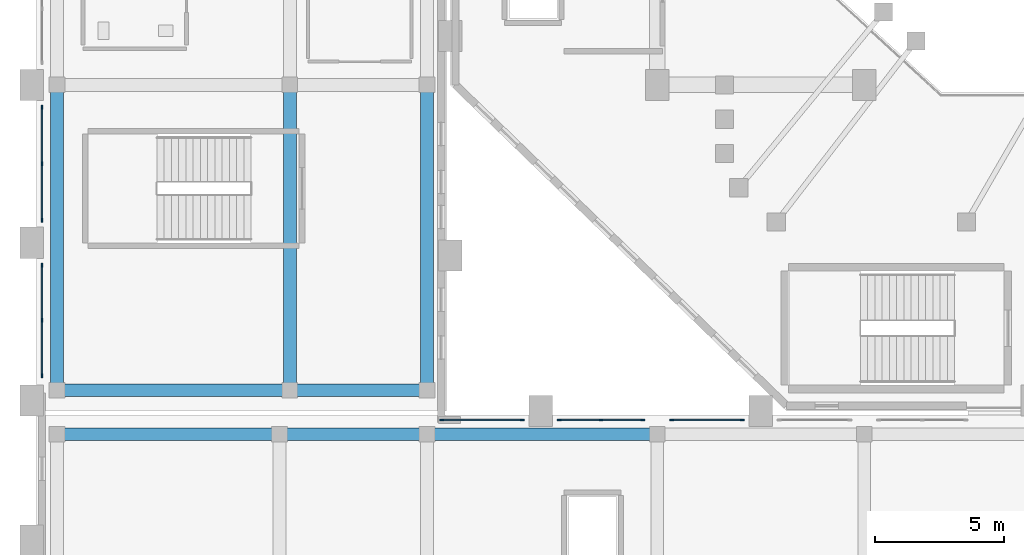
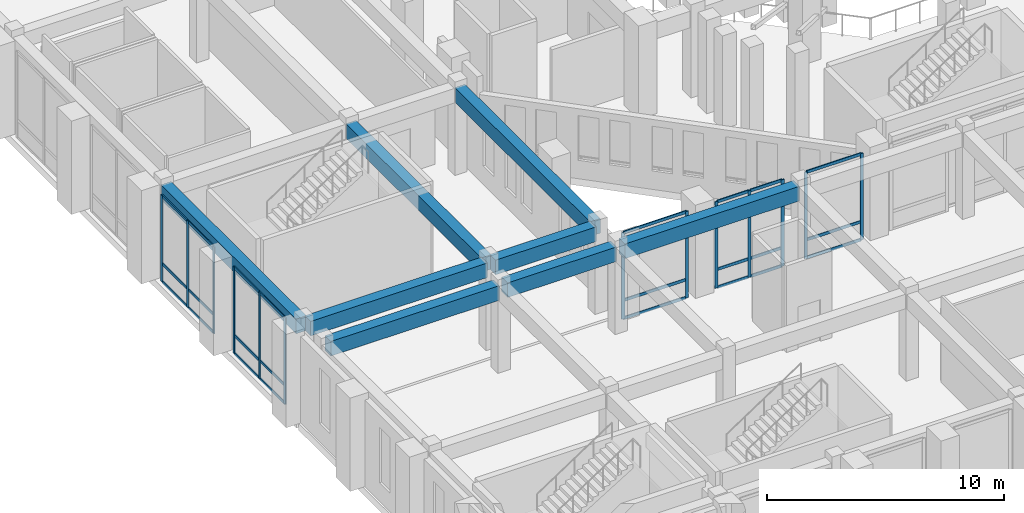
# One storey, part 16 of 126: 37 members, 8 beams, 5 elements without a shape of their own.
"""IFC4 building model written with IfcOpenShell, lengths in metres."""

import ifcopenshell
import ifcopenshell.guid

model = None  # the IFC model being written
_history = None  # IfcOwnerHistory: only IFC2X3 demands one
_inside = {}  # id of a spatial element -> (the spatial element, [elements in it])
_under = {}  # id of a project, library or spatial element -> (it, [spatial elements below it])
_declared = {}  # id of a project -> (the project, [libraries it declares])
_typed = {}  # id of a type object -> (the type object, [elements of that type])
_made_of = {}  # id of a material, layer set ... -> (it, [elements and type objects made of it])


def new_model(schema):
    """Start an empty IFC model of exactly this schema.

    Asked for "IFC4X3", IfcOpenShell would pick the latest addendum, in which some entities
    have other attributes; the version numbers below select the first issue.
    IFC2X3 requires an IfcOwnerHistory on every rooted entity: one is made here for all.
    """
    global model, _history
    if schema == "IFC4X3":
        model = ifcopenshell.file(schema_version=(4, 3, 0, 0))
    else:
        model = ifcopenshell.file(schema=schema)
    _inside.clear()
    _under.clear()
    _declared.clear()
    _typed.clear()
    _made_of.clear()
    _history = None
    if model.schema == "IFC2X3":
        org = make("IfcOrganization", Name="unknown")
        user = make(
            "IfcPersonAndOrganization",
            ThePerson=make("IfcPerson", FamilyName="unknown"),
            TheOrganization=org,
        )
        app = make(
            "IfcApplication",
            ApplicationDeveloper=org,
            Version="unknown",
            ApplicationFullName="unknown",
            ApplicationIdentifier="unknown",
        )
        _history = make(
            "IfcOwnerHistory",
            OwningUser=user,
            OwningApplication=app,
            ChangeAction="ADDED",
            CreationDate=0,
        )
    return model


def make(cls, **values):
    """One entity of the class cls with the attributes given. An attribute that is None is left unset."""
    return model.create_entity(
        cls, **{name: value for name, value in values.items() if value is not None}
    )


def rooted(cls, **values):
    """An entity with a GlobalId (a new one), such as an element, a storey or a relation."""
    return make(cls, GlobalId=ifcopenshell.guid.new(), OwnerHistory=_history, **values)


def si_unit(unit_type, name, prefix=None):
    """IfcSIUnit, for example si_unit("LENGTHUNIT", "METRE", prefix="MILLI")."""
    return make("IfcSIUnit", UnitType=unit_type, Prefix=prefix, Name=name)


def derived_unit(unit_type, elements):
    """IfcDerivedUnit: a product of units, each with its exponent."""
    return make(
        "IfcDerivedUnit",
        Elements=[
            make("IfcDerivedUnitElement", Unit=unit, Exponent=power)
            for unit, power in elements
        ],
        UnitType=unit_type,
    )


def assignment(units):
    """IfcUnitAssignment: the units of a project."""
    return None if units is None else make("IfcUnitAssignment", Units=units)


def point(xyz):
    """IfcCartesianPoint."""
    return None if xyz is None else make("IfcCartesianPoint", Coordinates=xyz)


def direction(xyz):
    """IfcDirection."""
    return None if xyz is None else make("IfcDirection", DirectionRatios=xyz)


def frame(location, z_axis=None, x_axis=None):
    """IfcAxis2Placement3D, a coordinate frame: its origin and axes. An axis left out is left unset."""
    return make(
        "IfcAxis2Placement3D",
        Location=point(location),
        Axis=direction(z_axis),
        RefDirection=direction(x_axis),
    )


def frame_2d(location, x_axis=None):
    """IfcAxis2Placement2D, a coordinate frame in the plane: its origin and x axis."""
    return make(
        "IfcAxis2Placement2D", Location=point(location), RefDirection=direction(x_axis)
    )


def origin():
    """The frame at (0, 0, 0) with its axes left unset."""
    return frame((0.0, 0.0, 0.0))


def origin_2d():
    """The frame at (0, 0) in the plane with its x axis left unset."""
    return frame_2d((0.0, 0.0))


def place(relative_to, where):
    """IfcLocalPlacement: puts the frame where relative to a parent placement (None: the world)."""
    return make(
        "IfcLocalPlacement", PlacementRelTo=relative_to, RelativePlacement=where
    )


def context(
    kind, dimensions, precision=None, world=None, true_north=None, identifier=None
):
    """IfcGeometricRepresentationContext, for example the 3D "Model" context."""
    return make(
        "IfcGeometricRepresentationContext",
        ContextIdentifier=identifier,
        ContextType=kind,
        CoordinateSpaceDimension=dimensions,
        Precision=precision,
        WorldCoordinateSystem=world,
        TrueNorth=true_north,
    )


def subcontext(parent, identifier, kind, view, scale=None):
    """IfcGeometricRepresentationSubContext, for example "Body" below "Model"."""
    return make(
        "IfcGeometricRepresentationSubContext",
        ContextIdentifier=identifier,
        ContextType=kind,
        ParentContext=parent,
        TargetScale=scale,
        TargetView=view,
    )


def project(units=None, contexts=None):
    """IfcProject with its units and contexts."""
    return rooted(
        "IfcProject",
        Name="project",
        RepresentationContexts=contexts,
        UnitsInContext=assignment(units),
    )


def spatial(cls, under=None, at=None, **own):
    """A site, building, storey or space (cls), placed at a placement, below another one or the project."""
    s = rooted(cls, ObjectPlacement=at, **own)
    if under is not None:
        _under.setdefault(under.id(), (under, []))[1].append(s)
    return s


def profile(cls, at=None, kind="AREA", **sizes):
    """A parametric profile (cls). Its sizes go by their IFC names, for example OverallWidth=200.0."""
    return make(cls, ProfileType=kind, Position=at, **sizes)


def rectangle(**sizes):
    """IfcRectangleProfileDef."""
    return profile("IfcRectangleProfileDef", **sizes)


def extrude(swept, where, along, depth):
    """IfcExtrudedAreaSolid: the profile swept, set in the frame where, extruded along a direction by depth."""
    return make(
        "IfcExtrudedAreaSolid",
        SweptArea=swept,
        Position=where,
        ExtrudedDirection=direction(along),
        Depth=depth,
    )


def shape(context_of_items, identifier, shape_type, items):
    """IfcShapeRepresentation: the items that make up one representation, for example the "Body"."""
    return make(
        "IfcShapeRepresentation",
        ContextOfItems=context_of_items,
        RepresentationIdentifier=identifier,
        RepresentationType=shape_type,
        Items=items,
    )


def material(Name=None, Category=None):
    """IfcMaterial."""
    return make("IfcMaterial", Name=Name, Category=Category)


def layer(
    of_material, thickness, ventilated=None, Name=None, Category=None, Priority=None
):
    """IfcMaterialLayer: one layer of a wall or slab, of a material (None: an air gap)."""
    return make(
        "IfcMaterialLayer",
        Material=of_material,
        LayerThickness=thickness,
        IsVentilated=ventilated,
        Name=Name,
        Category=Category,
        Priority=Priority,
    )


def layer_set(layers, Name=None):
    """IfcMaterialLayerSet."""
    return make("IfcMaterialLayerSet", MaterialLayers=layers, LayerSetName=Name)


def material_profile(
    of_material, cross_section, Name=None, Category=None, Priority=None
):
    """IfcMaterialProfile: a cross section and its material."""
    return make(
        "IfcMaterialProfile",
        Name=Name,
        Material=of_material,
        Profile=cross_section,
        Priority=Priority,
        Category=Category,
    )


def profile_set(profiles, Name=None, composite=None):
    """IfcMaterialProfileSet."""
    return make(
        "IfcMaterialProfileSet",
        Name=Name,
        MaterialProfiles=profiles,
        CompositeProfile=composite,
    )


def made_of(thing, what):
    """Note that an element or type object is made of a material, layer set ...; save() writes the relation."""
    if what is not None:
        _made_of.setdefault(what.id(), (what, []))[1].append(thing)
    return thing


def type_object(cls, material=None, **own):
    """A type object (cls), such as IfcWallType, which elements share."""
    return made_of(rooted(cls, **own), material)


def element(
    cls,
    number,
    at=None,
    inside=None,
    cuts=None,
    type_object=None,
    material=None,
    context=None,
    identifier="Body",
    shape_type=None,
    held_by="IfcProductDefinitionShape",
    body=None,
    shapes=None,
    **own,
):
    """One element of the class cls, such as IfcWall. Its Tag is "e" and its number.

    at: its placement. inside: the storey or other place that contains it. cuts: it is an
    opening in that element (IfcRelVoidsElement). A single representation is given by context,
    identifier, shape_type and body (its items); several are given by shapes. held_by: the class
    of the entity that holds the representations. save() writes the other relations.
    """
    e = rooted(cls, Tag="e%d" % number, ObjectPlacement=at, **own)
    if body is not None:
        shapes = [shape(context, identifier, shape_type, body)]
    if shapes is not None:
        e.Representation = make(held_by, Representations=shapes)
    if inside is not None:
        _inside.setdefault(inside.id(), (inside, []))[1].append(e)
    if cuts is not None:
        rooted(
            "IfcRelVoidsElement", RelatingBuildingElement=cuts, RelatedOpeningElement=e
        )
    if type_object is not None:
        _typed.setdefault(type_object.id(), (type_object, []))[1].append(e)
    return made_of(e, material)


def aggregate(whole, parts):
    """IfcRelAggregates: a whole, such as a stair, and the parts it consists of."""
    return rooted("IfcRelAggregates", RelatingObject=whole, RelatedObjects=parts)


def save(model, path):
    """Write the relations noted so far, then the file.

    IfcRelAggregates (storeys below a building ...), IfcRelContainedInSpatialStructure (elements
    in a storey), IfcRelDefinesByType, IfcRelAssociatesMaterial and IfcRelDeclares: one each for
    every whole, place, type object, material and project.
    """
    for whole, parts in _under.values():
        aggregate(whole, parts)
    for where, things in _inside.values():
        rooted(
            "IfcRelContainedInSpatialStructure",
            RelatedElements=things,
            RelatingStructure=where,
        )
    for kind, things in _typed.values():
        rooted("IfcRelDefinesByType", RelatedObjects=things, RelatingType=kind)
    for what, things in _made_of.values():
        rooted("IfcRelAssociatesMaterial", RelatedObjects=things, RelatingMaterial=what)
    for by, libraries in _declared.values():
        rooted("IfcRelDeclares", RelatingContext=by, RelatedDefinitions=libraries)
    model.write(path)


model = new_model("IFC4")

# Units and contexts
model_context = context("Model", 3, precision=1e-05, world=origin(), true_north=direction((0.0, 1.0)))
body_context = subcontext(model_context, "Body", "Model", "MODEL_VIEW")
ifc_project = project(units=[si_unit("LENGTHUNIT", "METRE"), si_unit("AREAUNIT", "SQUARE_METRE"), si_unit("VOLUMEUNIT", "CUBIC_METRE"), si_unit("PLANEANGLEUNIT", "RADIAN"), si_unit("MASSUNIT", "GRAM", prefix="KILO"), derived_unit("THERMALTRANSMITTANCEUNIT", [(si_unit("MASSUNIT", "GRAM", prefix="KILO"), 1), (si_unit("TIMEUNIT", "SECOND"), -3), (si_unit("THERMODYNAMICTEMPERATUREUNIT", "KELVIN"), -1)])], contexts=[model_context])

# Site, building, storey
site_placement = place(None, origin())
site = spatial("IfcSite", under=ifc_project, at=site_placement, CompositionType="ELEMENT")
building_placement = place(site_placement, origin())
building = spatial("IfcBuilding", under=site, at=building_placement, Name="Valcora Ridge Arena", CompositionType="ELEMENT")
storey_placement = place(building_placement, frame((0.0, 0.0, 11.39990234375)))
storey = spatial("IfcBuildingStorey", under=building, at=storey_placement, Name="L02", CompositionType="ELEMENT", Elevation=11.39990234375)

# Beams
ifc_material_1 = material(Name="Concrete C40/50", Category="concrete")
ifc_material_profile_1 = material_profile(ifc_material_1, rectangle(XDim=0.5, YDim=0.75, at=origin_2d()), Name="RC 500x750")
ifc_profile_set_1 = profile_set([ifc_material_profile_1], Name="Concrete C40/50")
beam_type_1 = type_object("IfcBeamType", Name="TY-BEAM-B-RC500-X", PredefinedType="BEAM", material=ifc_profile_set_1)
beam_1_placement = place(storey_placement, frame((1.0, 19.10009765625, 4.0751953125), z_axis=(1.0, 0.0, 0.0), x_axis=(0.0, 1.0, 0.0)))
element("IfcBeam", 1, at=beam_1_placement, inside=storey, type_object=beam_type_1, Name="B-RC500-X BEM-B-RC500-X-0059", PredefinedType="BEAM", context=body_context, shape_type="SweptSolid", body=[
    extrude(rectangle(XDim=0.5, YDim=0.75, at=origin_2d()), origin(), (0.0, 0.0, 1.0), 8.199951171875),
])
beam_2_placement = place(storey_placement, frame((9.60009765625, 19.10009765625, 4.0751953125), z_axis=(1.0, 0.0, 0.0), x_axis=(0.0, 1.0, 0.0)))
element("IfcBeam", 2, at=beam_2_placement, inside=storey, type_object=beam_type_1, Name="B-RC500-X BEM-B-RC500-X-0060", PredefinedType="BEAM", context=body_context, shape_type="SweptSolid", body=[
    extrude(rectangle(XDim=0.5, YDim=0.75, at=origin_2d()), origin(), (0.0, 0.0, 1.0), 5.2998046875),
])
beam_3_placement = place(storey_placement, frame((15.300048828125, 19.10009765625, 4.0751953125), z_axis=(1.0, 0.0, 0.0), x_axis=(0.0, 1.0, 0.0)))
element("IfcBeam", 3, at=beam_3_placement, inside=storey, type_object=beam_type_1, Name="B-RC500-X BEM-B-RC500-X-0061", PredefinedType="BEAM", context=body_context, shape_type="SweptSolid", body=[
    extrude(rectangle(XDim=0.5, YDim=0.75, at=origin_2d()), origin(), (0.0, 0.0, 1.0), 8.5),
])
beam_4_placement = place(storey_placement, frame((1.0, 20.800048828125, 4.0751953125), z_axis=(1.0, 0.0, 0.0), x_axis=(0.0, 1.0, 0.0)))
element("IfcBeam", 4, at=beam_4_placement, inside=storey, type_object=beam_type_1, Name="B-RC500-X BEM-B-RC500-X-0065", PredefinedType="BEAM", context=body_context, shape_type="SweptSolid", body=[
    extrude(rectangle(XDim=0.5, YDim=0.75, at=origin_2d()), origin(), (0.0, 0.0, 1.0), 8.60009765625),
])
beam_5_placement = place(storey_placement, frame((10.0, 20.800048828125, 4.0751953125), z_axis=(1.0, 0.0, 0.0), x_axis=(0.0, 1.0, 0.0)))
element("IfcBeam", 5, at=beam_5_placement, inside=storey, type_object=beam_type_1, Name="B-RC500-X BEM-B-RC500-X-0066", PredefinedType="BEAM", context=body_context, shape_type="SweptSolid", body=[
    extrude(rectangle(XDim=0.5, YDim=0.75, at=origin_2d()), origin(), (0.0, 0.0, 1.0), 4.89990234375),
])
ifc_material_profile_2 = material_profile(ifc_material_1, rectangle(XDim=0.5, YDim=0.75, at=origin_2d()), Name="RC 500x750")
ifc_profile_set_2 = profile_set([ifc_material_profile_2], Name="Concrete C40/50")
beam_type_2 = type_object("IfcBeamType", Name="TY-BEAM-B-RC500-Y", PredefinedType="BEAM", material=ifc_profile_set_2)
for number, where, z_axis, x_axis, name in (
    (6, (0.800048828125, 21.0, 4.0751953125), (0.0, 1.0, 0.0), (-1.0, 0.0, 0.0), "B-RC500-Y BEM-B-RC500-Y-0069"),
    (7, (9.800048828125, 21.0, 4.0751953125), (0.0, 1.0, 0.0), (-1.0, 0.0, 0.0), "B-RC500-Y BEM-B-RC500-Y-0075"),
    (8, (15.10009765625, 21.0, 4.0751953125), (0.0, 1.0, 0.0), (-1.0, 0.0, 0.0), "B-RC500-Y BEM-B-RC500-Y-0080"),
):
    element("IfcBeam", number, at=place(storey_placement, frame(where, z_axis=z_axis, x_axis=x_axis)), inside=storey, type_object=beam_type_2, Name=name, PredefinedType="BEAM", context=body_context, shape_type="SweptSolid", body=[
        extrude(rectangle(XDim=0.5, YDim=0.75, at=origin_2d()), origin(), (0.0, 0.0, 1.0), 11.39990234375),
    ])

# Curtain wall, members
ifc_material_2 = material(Name="Anodised dark bronze architectural aluminium 6063-T6", Category="aluminium")
ifc_layer_1 = layer(ifc_material_2, 0.14990234375, Name="Anodised dark bronze architectural aluminium 6063-T6")
ifc_layer_set_1 = layer_set([ifc_layer_1], Name="Anodised dark bronze architectural aluminium 6063-T6")
curtain_wall_type_1 = type_object("IfcCurtainWallType", Name="TY-CURTAINWALL-CW-V4-CLUB-032X44", PredefinedType="NOTDEFINED", material=ifc_layer_set_1)
curtain_wall_1_placement = place(storey_placement, origin())
curtain_wall_1 = element("IfcCurtainWall", 9, at=curtain_wall_1_placement, inside=storey, type_object=curtain_wall_type_1, Name="CW-V4-CLUB-032X44 CW-0249", PredefinedType="NOTDEFINED")
ifc_material_profile_3 = material_profile(ifc_material_2, rectangle(XDim=0.050048828125, YDim=0.14990234375, at=origin_2d()), Name="ALU MULLION 50x150")
ifc_profile_set_3 = profile_set([ifc_material_profile_3], Name="Anodised dark bronze architectural aluminium 6063-T6")
member_type_1 = type_object("IfcMemberType", Name="TY-MEM-CWM-50x150", PredefinedType="MULLION", material=ifc_profile_set_3)
member_1_placement = place(storey_placement, frame((15.675048828125, 19.64990234375, 0.0), z_axis=(0.0, 0.0, 1.0), x_axis=(0.0, 1.0, 0.0)))
member_1 = element("IfcMember", 10, at=member_1_placement, type_object=member_type_1, Name="CW-0249/CWM-50x150/M00", PredefinedType="MULLION", context=body_context, shape_type="SweptSolid", body=[
    extrude(rectangle(XDim=0.050048828125, YDim=0.14990234375, at=origin_2d()), origin(), (0.0, 0.0, 1.0), 4.4501953125),
])
member_2_placement = place(storey_placement, frame((18.784912109375, 19.64990234375, 0.0), z_axis=(0.0, 0.0, 1.0), x_axis=(0.0, 1.0, 0.0)))
member_2 = element("IfcMember", 11, at=member_2_placement, type_object=member_type_1, Name="CW-0249/CWM-50x150/M01", PredefinedType="MULLION", context=body_context, shape_type="SweptSolid", body=[
    extrude(rectangle(XDim=0.050048828125, YDim=0.14990234375, at=origin_2d()), origin(), (0.0, 0.0, 1.0), 4.4501953125),
])

ifc_layer_2 = layer(ifc_material_2, 0.14990234375, Name="Anodised dark bronze architectural aluminium 6063-T6")
ifc_layer_set_2 = layer_set([ifc_layer_2], Name="Anodised dark bronze architectural aluminium 6063-T6")
curtain_wall_type_2 = type_object("IfcCurtainWallType", Name="TY-CURTAINWALL-CW-V4-CLUB-033X44", PredefinedType="NOTDEFINED", material=ifc_layer_set_2)
curtain_wall_2_placement = place(storey_placement, origin())
curtain_wall_2 = element("IfcCurtainWall", 12, at=curtain_wall_2_placement, inside=storey, type_object=curtain_wall_type_2, Name="CW-V4-CLUB-033X44 CW-0250", PredefinedType="NOTDEFINED")
member_3_placement = place(storey_placement, frame((20.215087890625, 19.64990234375, 0.0), z_axis=(0.0, 0.0, 1.0), x_axis=(0.0, 1.0, 0.0)))
member_3 = element("IfcMember", 13, at=member_3_placement, type_object=member_type_1, Name="CW-0250/CWM-50x150/M00", PredefinedType="MULLION", context=body_context, shape_type="SweptSolid", body=[
    extrude(rectangle(XDim=0.050048828125, YDim=0.14990234375, at=origin_2d()), origin(), (0.0, 0.0, 1.0), 4.4501953125),
])
member_4_placement = place(storey_placement, frame((21.824951171875, 19.64990234375, 0.0), z_axis=(0.0, 0.0, 1.0), x_axis=(0.0, 1.0, 0.0)))
member_4 = element("IfcMember", 14, at=member_4_placement, type_object=member_type_1, Name="CW-0250/CWM-50x150/M01", PredefinedType="MULLION", context=body_context, shape_type="SweptSolid", body=[
    extrude(rectangle(XDim=0.050048828125, YDim=0.14990234375, at=origin_2d()), origin(), (0.0, 0.0, 1.0), 4.4501953125),
])
member_5_placement = place(storey_placement, frame((23.43505859375, 19.64990234375, 0.0), z_axis=(0.0, 0.0, 1.0), x_axis=(0.0, 1.0, 0.0)))
member_5 = element("IfcMember", 15, at=member_5_placement, type_object=member_type_1, Name="CW-0250/CWM-50x150/M02", PredefinedType="MULLION", context=body_context, shape_type="SweptSolid", body=[
    extrude(rectangle(XDim=0.050048828125, YDim=0.14990234375, at=origin_2d()), origin(), (0.0, 0.0, 1.0), 4.4501953125),
])

ifc_layer_3 = layer(ifc_material_2, 0.14990234375, Name="Anodised dark bronze architectural aluminium 6063-T6")
ifc_layer_set_3 = layer_set([ifc_layer_3], Name="Anodised dark bronze architectural aluminium 6063-T6")
curtain_wall_type_3 = type_object("IfcCurtainWallType", Name="TY-CURTAINWALL-CW-V4-CLUB-028X44", PredefinedType="NOTDEFINED", material=ifc_layer_set_3)
curtain_wall_3_placement = place(storey_placement, origin())
curtain_wall_3 = element("IfcCurtainWall", 16, at=curtain_wall_3_placement, inside=storey, type_object=curtain_wall_type_3, Name="CW-V4-CLUB-028X44 CW-0251", PredefinedType="NOTDEFINED")
member_6_placement = place(storey_placement, frame((24.56494140625, 19.64990234375, 0.0), z_axis=(0.0, 0.0, 1.0), x_axis=(0.0, 1.0, 0.0)))
member_6 = element("IfcMember", 17, at=member_6_placement, type_object=member_type_1, Name="CW-0251/CWM-50x150/M00", PredefinedType="MULLION", context=body_context, shape_type="SweptSolid", body=[
    extrude(rectangle(XDim=0.050048828125, YDim=0.14990234375, at=origin_2d()), origin(), (0.0, 0.0, 1.0), 4.4501953125),
])
member_7_placement = place(storey_placement, frame((27.284912109375, 19.64990234375, 0.0), z_axis=(0.0, 0.0, 1.0), x_axis=(0.0, 1.0, 0.0)))
member_7 = element("IfcMember", 18, at=member_7_placement, type_object=member_type_1, Name="CW-0251/CWM-50x150/M01", PredefinedType="MULLION", context=body_context, shape_type="SweptSolid", body=[
    extrude(rectangle(XDim=0.050048828125, YDim=0.14990234375, at=origin_2d()), origin(), (0.0, 0.0, 1.0), 4.4501953125),
])

ifc_layer_4 = layer(ifc_material_2, 0.14990234375, Name="Anodised dark bronze architectural aluminium 6063-T6")
ifc_layer_set_4 = layer_set([ifc_layer_4], Name="Anodised dark bronze architectural aluminium 6063-T6")
curtain_wall_type_4 = type_object("IfcCurtainWallType", Name="TY-CURTAINWALL-CW-V4-CLUB-043X44", PredefinedType="NOTDEFINED", material=ifc_layer_set_4)
curtain_wall_4_placement = place(storey_placement, origin())
curtain_wall_4 = element("IfcCurtainWall", 19, at=curtain_wall_4_placement, inside=storey, type_object=curtain_wall_type_4, Name="CW-V4-CLUB-043X44 CW-0255", PredefinedType="NOTDEFINED")
member_8_placement = place(storey_placement, frame((0.219970703125, 21.364990234375, 0.0), z_axis=(0.0, 0.0, 1.0), x_axis=(-1.0, 0.0, 0.0)))
member_8 = element("IfcMember", 20, at=member_8_placement, type_object=member_type_1, Name="CW-0255/CWM-50x150/M00", PredefinedType="MULLION", context=body_context, shape_type="SweptSolid", body=[
    extrude(rectangle(XDim=0.050048828125, YDim=0.14990234375, at=origin_2d()), origin(), (0.0, 0.0, 1.0), 4.4501953125),
])
member_9_placement = place(storey_placement, frame((0.219970703125, 23.5, 0.0), z_axis=(0.0, 0.0, 1.0), x_axis=(-1.0, 0.0, 0.0)))
member_9 = element("IfcMember", 21, at=member_9_placement, type_object=member_type_1, Name="CW-0255/CWM-50x150/M01", PredefinedType="MULLION", context=body_context, shape_type="SweptSolid", body=[
    extrude(rectangle(XDim=0.050048828125, YDim=0.14990234375, at=origin_2d()), origin(), (0.0, 0.0, 1.0), 4.4501953125),
])
member_10_placement = place(storey_placement, frame((0.219970703125, 25.635009765625, 0.0), z_axis=(0.0, 0.0, 1.0), x_axis=(-1.0, 0.0, 0.0)))
member_10 = element("IfcMember", 22, at=member_10_placement, type_object=member_type_1, Name="CW-0255/CWM-50x150/M02", PredefinedType="MULLION", context=body_context, shape_type="SweptSolid", body=[
    extrude(rectangle(XDim=0.050048828125, YDim=0.14990234375, at=origin_2d()), origin(), (0.0, 0.0, 1.0), 4.4501953125),
])

ifc_layer_5 = layer(ifc_material_2, 0.14990234375, Name="Anodised dark bronze architectural aluminium 6063-T6")
ifc_layer_set_5 = layer_set([ifc_layer_5], Name="Anodised dark bronze architectural aluminium 6063-T6")
curtain_wall_type_5 = type_object("IfcCurtainWallType", Name="TY-CURTAINWALL-CW-V4-CLUB-044X44", PredefinedType="NOTDEFINED", material=ifc_layer_set_5)
curtain_wall_5_placement = place(storey_placement, origin())
curtain_wall_5 = element("IfcCurtainWall", 23, at=curtain_wall_5_placement, inside=storey, type_object=curtain_wall_type_5, Name="CW-V4-CLUB-044X44 CW-0256", PredefinedType="NOTDEFINED")
member_11_placement = place(storey_placement, frame((0.219970703125, 27.364990234375, 0.0), z_axis=(0.0, 0.0, 1.0), x_axis=(-1.0, 0.0, 0.0)))
member_11 = element("IfcMember", 24, at=member_11_placement, type_object=member_type_1, Name="CW-0256/CWM-50x150/M00", PredefinedType="MULLION", context=body_context, shape_type="SweptSolid", body=[
    extrude(rectangle(XDim=0.050048828125, YDim=0.14990234375, at=origin_2d()), origin(), (0.0, 0.0, 1.0), 4.4501953125),
])
member_12_placement = place(storey_placement, frame((0.219970703125, 29.550048828125, 0.0), z_axis=(0.0, 0.0, 1.0), x_axis=(-1.0, 0.0, 0.0)))
member_12 = element("IfcMember", 25, at=member_12_placement, type_object=member_type_1, Name="CW-0256/CWM-50x150/M01", PredefinedType="MULLION", context=body_context, shape_type="SweptSolid", body=[
    extrude(rectangle(XDim=0.050048828125, YDim=0.14990234375, at=origin_2d()), origin(), (0.0, 0.0, 1.0), 4.4501953125),
])
member_13_placement = place(storey_placement, frame((0.219970703125, 31.735107421875, 0.0), z_axis=(0.0, 0.0, 1.0), x_axis=(-1.0, 0.0, 0.0)))
member_13 = element("IfcMember", 26, at=member_13_placement, type_object=member_type_1, Name="CW-0256/CWM-50x150/M02", PredefinedType="MULLION", context=body_context, shape_type="SweptSolid", body=[
    extrude(rectangle(XDim=0.050048828125, YDim=0.14990234375, at=origin_2d()), origin(), (0.0, 0.0, 1.0), 4.4501953125),
])

# Member
ifc_material_profile_4 = material_profile(ifc_material_2, rectangle(XDim=0.050048828125, YDim=0.14990234375, at=origin_2d()), Name="ALU TRANSOM 50x150")
ifc_profile_set_4 = profile_set([ifc_material_profile_4], Name="Anodised dark bronze architectural aluminium 6063-T6")
member_type_2 = type_object("IfcMemberType", Name="TY-MEM-CWT-50x150", PredefinedType="USERDEFINED", material=ifc_profile_set_4)
member_14_placement = place(storey_placement, frame((15.699951171875, 19.64990234375, 0.025146484375), z_axis=(1.0, 0.0, 0.0), x_axis=(0.0, 1.0, 0.0)))
member_14 = element("IfcMember", 27, at=member_14_placement, type_object=member_type_2, Name="CW-0249/CWT-50x150/T00-00", ObjectType="TRANSOM", PredefinedType="USERDEFINED", context=body_context, shape_type="SweptSolid", body=[
    extrude(rectangle(XDim=0.050048828125, YDim=0.14990234375, at=origin_2d()), origin(), (0.0, 0.0, 1.0), 3.06005859375),
])

member_15_placement = place(storey_placement, frame((15.699951171875, 19.64990234375, 0.9501953125), z_axis=(1.0, 0.0, 0.0), x_axis=(0.0, 1.0, 0.0)))
member_15 = element("IfcMember", 28, at=member_15_placement, type_object=member_type_2, Name="CW-0249/CWT-50x150/T00-01", ObjectType="TRANSOM", PredefinedType="USERDEFINED", context=body_context, shape_type="SweptSolid", body=[
    extrude(rectangle(XDim=0.050048828125, YDim=0.14990234375, at=origin_2d()), origin(), (0.0, 0.0, 1.0), 3.06005859375),
])

member_16_placement = place(storey_placement, frame((15.699951171875, 19.64990234375, 4.425048828125), z_axis=(1.0, 0.0, 0.0), x_axis=(0.0, 1.0, 0.0)))
member_16 = element("IfcMember", 29, at=member_16_placement, type_object=member_type_2, Name="CW-0249/CWT-50x150/T00-02", ObjectType="TRANSOM", PredefinedType="USERDEFINED", context=body_context, shape_type="SweptSolid", body=[
    extrude(rectangle(XDim=0.050048828125, YDim=0.14990234375, at=origin_2d()), origin(), (0.0, 0.0, 1.0), 3.06005859375),
])

aggregate(curtain_wall_1, [member_1, member_2, member_14, member_15, member_16])

member_17_placement = place(storey_placement, frame((20.239990234375, 19.64990234375, 0.025146484375), z_axis=(1.0, 0.0, 0.0), x_axis=(0.0, 1.0, 0.0)))
member_17 = element("IfcMember", 30, at=member_17_placement, type_object=member_type_2, Name="CW-0250/CWT-50x150/T00-00", ObjectType="TRANSOM", PredefinedType="USERDEFINED", context=body_context, shape_type="SweptSolid", body=[
    extrude(rectangle(XDim=0.050048828125, YDim=0.14990234375, at=origin_2d()), origin(), (0.0, 0.0, 1.0), 1.56005859375),
])

member_18_placement = place(storey_placement, frame((20.239990234375, 19.64990234375, 0.9501953125), z_axis=(1.0, 0.0, 0.0), x_axis=(0.0, 1.0, 0.0)))
member_18 = element("IfcMember", 31, at=member_18_placement, type_object=member_type_2, Name="CW-0250/CWT-50x150/T00-01", ObjectType="TRANSOM", PredefinedType="USERDEFINED", context=body_context, shape_type="SweptSolid", body=[
    extrude(rectangle(XDim=0.050048828125, YDim=0.14990234375, at=origin_2d()), origin(), (0.0, 0.0, 1.0), 1.56005859375),
])

member_19_placement = place(storey_placement, frame((20.239990234375, 19.64990234375, 4.425048828125), z_axis=(1.0, 0.0, 0.0), x_axis=(0.0, 1.0, 0.0)))
member_19 = element("IfcMember", 32, at=member_19_placement, type_object=member_type_2, Name="CW-0250/CWT-50x150/T00-02", ObjectType="TRANSOM", PredefinedType="USERDEFINED", context=body_context, shape_type="SweptSolid", body=[
    extrude(rectangle(XDim=0.050048828125, YDim=0.14990234375, at=origin_2d()), origin(), (0.0, 0.0, 1.0), 1.56005859375),
])

member_20_placement = place(storey_placement, frame((21.85009765625, 19.64990234375, 0.025146484375), z_axis=(1.0, 0.0, 0.0), x_axis=(0.0, 1.0, 0.0)))
member_20 = element("IfcMember", 33, at=member_20_placement, type_object=member_type_2, Name="CW-0250/CWT-50x150/T01-00", ObjectType="TRANSOM", PredefinedType="USERDEFINED", context=body_context, shape_type="SweptSolid", body=[
    extrude(rectangle(XDim=0.050048828125, YDim=0.14990234375, at=origin_2d()), origin(), (0.0, 0.0, 1.0), 1.559814453125),
])

member_21_placement = place(storey_placement, frame((21.85009765625, 19.64990234375, 0.9501953125), z_axis=(1.0, 0.0, 0.0), x_axis=(0.0, 1.0, 0.0)))
member_21 = element("IfcMember", 34, at=member_21_placement, type_object=member_type_2, Name="CW-0250/CWT-50x150/T01-01", ObjectType="TRANSOM", PredefinedType="USERDEFINED", context=body_context, shape_type="SweptSolid", body=[
    extrude(rectangle(XDim=0.050048828125, YDim=0.14990234375, at=origin_2d()), origin(), (0.0, 0.0, 1.0), 1.559814453125),
])

member_22_placement = place(storey_placement, frame((21.85009765625, 19.64990234375, 4.425048828125), z_axis=(1.0, 0.0, 0.0), x_axis=(0.0, 1.0, 0.0)))
member_22 = element("IfcMember", 35, at=member_22_placement, type_object=member_type_2, Name="CW-0250/CWT-50x150/T01-02", ObjectType="TRANSOM", PredefinedType="USERDEFINED", context=body_context, shape_type="SweptSolid", body=[
    extrude(rectangle(XDim=0.050048828125, YDim=0.14990234375, at=origin_2d()), origin(), (0.0, 0.0, 1.0), 1.559814453125),
])

aggregate(curtain_wall_2, [member_3, member_4, member_5, member_17, member_18, member_19, member_20, member_21, member_22])

member_23_placement = place(storey_placement, frame((24.590087890625, 19.64990234375, 0.025146484375), z_axis=(1.0, 0.0, 0.0), x_axis=(0.0, 1.0, 0.0)))
member_23 = element("IfcMember", 36, at=member_23_placement, type_object=member_type_2, Name="CW-0251/CWT-50x150/T00-00", ObjectType="TRANSOM", PredefinedType="USERDEFINED", context=body_context, shape_type="SweptSolid", body=[
    extrude(rectangle(XDim=0.050048828125, YDim=0.14990234375, at=origin_2d()), origin(), (0.0, 0.0, 1.0), 2.669921875),
])

member_24_placement = place(storey_placement, frame((24.590087890625, 19.64990234375, 0.9501953125), z_axis=(1.0, 0.0, 0.0), x_axis=(0.0, 1.0, 0.0)))
member_24 = element("IfcMember", 37, at=member_24_placement, type_object=member_type_2, Name="CW-0251/CWT-50x150/T00-01", ObjectType="TRANSOM", PredefinedType="USERDEFINED", context=body_context, shape_type="SweptSolid", body=[
    extrude(rectangle(XDim=0.050048828125, YDim=0.14990234375, at=origin_2d()), origin(), (0.0, 0.0, 1.0), 2.669921875),
])

member_25_placement = place(storey_placement, frame((24.590087890625, 19.64990234375, 4.425048828125), z_axis=(1.0, 0.0, 0.0), x_axis=(0.0, 1.0, 0.0)))
member_25 = element("IfcMember", 38, at=member_25_placement, type_object=member_type_2, Name="CW-0251/CWT-50x150/T00-02", ObjectType="TRANSOM", PredefinedType="USERDEFINED", context=body_context, shape_type="SweptSolid", body=[
    extrude(rectangle(XDim=0.050048828125, YDim=0.14990234375, at=origin_2d()), origin(), (0.0, 0.0, 1.0), 2.669921875),
])

aggregate(curtain_wall_3, [member_6, member_7, member_23, member_24, member_25])

member_26_placement = place(storey_placement, frame((0.219970703125, 21.389892578125, 0.025146484375), z_axis=(0.0, 1.0, 0.0), x_axis=(-1.0, 0.0, 0.0)))
member_26 = element("IfcMember", 39, at=member_26_placement, type_object=member_type_2, Name="CW-0255/CWT-50x150/T00-00", ObjectType="TRANSOM", PredefinedType="USERDEFINED", context=body_context, shape_type="SweptSolid", body=[
    extrude(rectangle(XDim=0.050048828125, YDim=0.14990234375, at=origin_2d()), origin(), (0.0, 0.0, 1.0), 2.085205078125),
])

member_27_placement = place(storey_placement, frame((0.219970703125, 21.389892578125, 0.9501953125), z_axis=(0.0, 1.0, 0.0), x_axis=(-1.0, 0.0, 0.0)))
member_27 = element("IfcMember", 40, at=member_27_placement, type_object=member_type_2, Name="CW-0255/CWT-50x150/T00-01", ObjectType="TRANSOM", PredefinedType="USERDEFINED", context=body_context, shape_type="SweptSolid", body=[
    extrude(rectangle(XDim=0.050048828125, YDim=0.14990234375, at=origin_2d()), origin(), (0.0, 0.0, 1.0), 2.085205078125),
])

member_28_placement = place(storey_placement, frame((0.219970703125, 21.389892578125, 4.425048828125), z_axis=(0.0, 1.0, 0.0), x_axis=(-1.0, 0.0, 0.0)))
member_28 = element("IfcMember", 41, at=member_28_placement, type_object=member_type_2, Name="CW-0255/CWT-50x150/T00-02", ObjectType="TRANSOM", PredefinedType="USERDEFINED", context=body_context, shape_type="SweptSolid", body=[
    extrude(rectangle(XDim=0.050048828125, YDim=0.14990234375, at=origin_2d()), origin(), (0.0, 0.0, 1.0), 2.085205078125),
])

member_29_placement = place(storey_placement, frame((0.219970703125, 23.52490234375, 0.025146484375), z_axis=(0.0, 1.0, 0.0), x_axis=(-1.0, 0.0, 0.0)))
member_29 = element("IfcMember", 42, at=member_29_placement, type_object=member_type_2, Name="CW-0255/CWT-50x150/T01-00", ObjectType="TRANSOM", PredefinedType="USERDEFINED", context=body_context, shape_type="SweptSolid", body=[
    extrude(rectangle(XDim=0.050048828125, YDim=0.14990234375, at=origin_2d()), origin(), (0.0, 0.0, 1.0), 2.085205078125),
])

member_30_placement = place(storey_placement, frame((0.219970703125, 23.52490234375, 0.9501953125), z_axis=(0.0, 1.0, 0.0), x_axis=(-1.0, 0.0, 0.0)))
member_30 = element("IfcMember", 43, at=member_30_placement, type_object=member_type_2, Name="CW-0255/CWT-50x150/T01-01", ObjectType="TRANSOM", PredefinedType="USERDEFINED", context=body_context, shape_type="SweptSolid", body=[
    extrude(rectangle(XDim=0.050048828125, YDim=0.14990234375, at=origin_2d()), origin(), (0.0, 0.0, 1.0), 2.085205078125),
])

member_31_placement = place(storey_placement, frame((0.219970703125, 23.52490234375, 4.425048828125), z_axis=(0.0, 1.0, 0.0), x_axis=(-1.0, 0.0, 0.0)))
member_31 = element("IfcMember", 44, at=member_31_placement, type_object=member_type_2, Name="CW-0255/CWT-50x150/T01-02", ObjectType="TRANSOM", PredefinedType="USERDEFINED", context=body_context, shape_type="SweptSolid", body=[
    extrude(rectangle(XDim=0.050048828125, YDim=0.14990234375, at=origin_2d()), origin(), (0.0, 0.0, 1.0), 2.085205078125),
])

aggregate(curtain_wall_4, [member_8, member_9, member_10, member_26, member_27, member_28, member_29, member_30, member_31])

member_32_placement = place(storey_placement, frame((0.219970703125, 27.389892578125, 0.025146484375), z_axis=(0.0, 1.0, 0.0), x_axis=(-1.0, 0.0, 0.0)))
member_32 = element("IfcMember", 45, at=member_32_placement, type_object=member_type_2, Name="CW-0256/CWT-50x150/T00-00", ObjectType="TRANSOM", PredefinedType="USERDEFINED", context=body_context, shape_type="SweptSolid", body=[
    extrude(rectangle(XDim=0.050048828125, YDim=0.14990234375, at=origin_2d()), origin(), (0.0, 0.0, 1.0), 2.135009765625),
])

member_33_placement = place(storey_placement, frame((0.219970703125, 27.389892578125, 0.9501953125), z_axis=(0.0, 1.0, 0.0), x_axis=(-1.0, 0.0, 0.0)))
member_33 = element("IfcMember", 46, at=member_33_placement, type_object=member_type_2, Name="CW-0256/CWT-50x150/T00-01", ObjectType="TRANSOM", PredefinedType="USERDEFINED", context=body_context, shape_type="SweptSolid", body=[
    extrude(rectangle(XDim=0.050048828125, YDim=0.14990234375, at=origin_2d()), origin(), (0.0, 0.0, 1.0), 2.135009765625),
])

member_34_placement = place(storey_placement, frame((0.219970703125, 27.389892578125, 4.425048828125), z_axis=(0.0, 1.0, 0.0), x_axis=(-1.0, 0.0, 0.0)))
member_34 = element("IfcMember", 47, at=member_34_placement, type_object=member_type_2, Name="CW-0256/CWT-50x150/T00-02", ObjectType="TRANSOM", PredefinedType="USERDEFINED", context=body_context, shape_type="SweptSolid", body=[
    extrude(rectangle(XDim=0.050048828125, YDim=0.14990234375, at=origin_2d()), origin(), (0.0, 0.0, 1.0), 2.135009765625),
])

member_35_placement = place(storey_placement, frame((0.219970703125, 29.574951171875, 0.025146484375), z_axis=(0.0, 1.0, 0.0), x_axis=(-1.0, 0.0, 0.0)))
member_35 = element("IfcMember", 48, at=member_35_placement, type_object=member_type_2, Name="CW-0256/CWT-50x150/T01-00", ObjectType="TRANSOM", PredefinedType="USERDEFINED", context=body_context, shape_type="SweptSolid", body=[
    extrude(rectangle(XDim=0.050048828125, YDim=0.14990234375, at=origin_2d()), origin(), (0.0, 0.0, 1.0), 2.135009765625),
])

member_36_placement = place(storey_placement, frame((0.219970703125, 29.574951171875, 0.9501953125), z_axis=(0.0, 1.0, 0.0), x_axis=(-1.0, 0.0, 0.0)))
member_36 = element("IfcMember", 49, at=member_36_placement, type_object=member_type_2, Name="CW-0256/CWT-50x150/T01-01", ObjectType="TRANSOM", PredefinedType="USERDEFINED", context=body_context, shape_type="SweptSolid", body=[
    extrude(rectangle(XDim=0.050048828125, YDim=0.14990234375, at=origin_2d()), origin(), (0.0, 0.0, 1.0), 2.135009765625),
])

member_37_placement = place(storey_placement, frame((0.219970703125, 29.574951171875, 4.425048828125), z_axis=(0.0, 1.0, 0.0), x_axis=(-1.0, 0.0, 0.0)))
member_37 = element("IfcMember", 50, at=member_37_placement, type_object=member_type_2, Name="CW-0256/CWT-50x150/T01-02", ObjectType="TRANSOM", PredefinedType="USERDEFINED", context=body_context, shape_type="SweptSolid", body=[
    extrude(rectangle(XDim=0.050048828125, YDim=0.14990234375, at=origin_2d()), origin(), (0.0, 0.0, 1.0), 2.135009765625),
])

aggregate(curtain_wall_5, [member_11, member_12, member_13, member_32, member_33, member_34, member_35, member_36, member_37])

save(model, "model.ifc")
